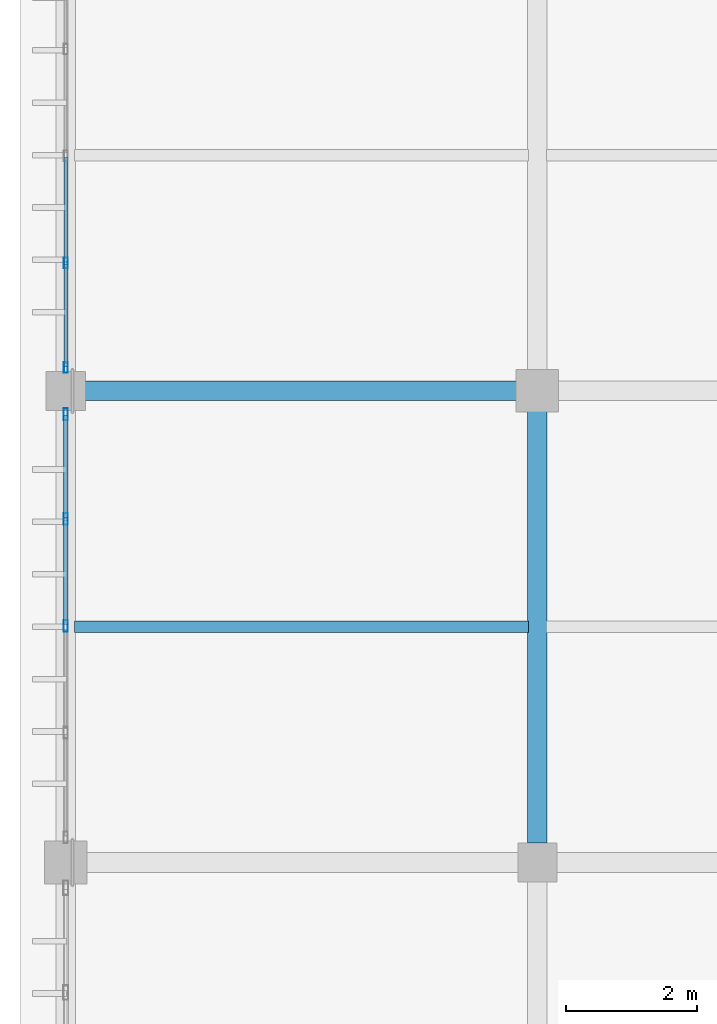
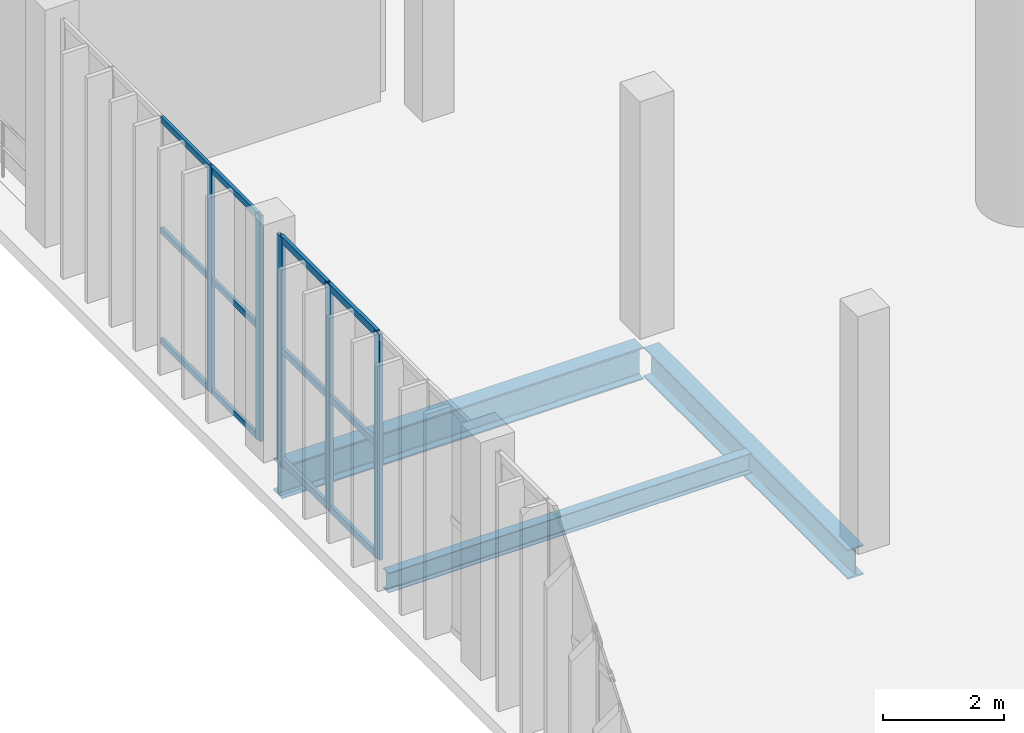
# One storey, part 7 of 105: 17 members, 3 beams, 2 elements without a shape of their own.
"""IFC4 building model written with IfcOpenShell, lengths in metres."""

from ifc_helpers import new_model, si_unit, direction, frame, origin, origin_2d, place, context, subcontext, project, spatial, hollow_rectangle, i_section, extrude, material, material_profile, profile_set, type_object, element, aggregate, save


model = new_model("IFC4")

# Units and contexts
model_context = context("Model", 3, precision=1e-05, world=origin(), true_north=direction((0.0, 1.0)))
body_context = subcontext(model_context, "Body", "Model", "MODEL_VIEW")
ifc_project = project(units=[si_unit("LENGTHUNIT", "METRE"), si_unit("AREAUNIT", "SQUARE_METRE"), si_unit("VOLUMEUNIT", "CUBIC_METRE"), si_unit("PLANEANGLEUNIT", "RADIAN"), si_unit("MASSUNIT", "GRAM", prefix="KILO")], contexts=[model_context])

# Site, building, storey
site_placement = place(None, origin())
site = spatial("IfcSite", under=ifc_project, at=site_placement, CompositionType="ELEMENT")
building_placement = place(site_placement, origin())
building = spatial("IfcBuilding", under=site, at=building_placement, Name="Qandorah Velis Arena", CompositionType="ELEMENT")
storey_placement = place(building_placement, frame((0.0, 0.0, 13.800048828125)))
storey = spatial("IfcBuildingStorey", under=building, at=storey_placement, Name="L03", CompositionType="ELEMENT", Elevation=13.800048828125)

# Curtain wall, members
ifc_material_1 = material(Name="Solar-control low-E double glazing", Category="glass")
curtain_wall_type_1 = type_object("IfcCurtainWallType", Name="ARC-CW-SYS23", PredefinedType="USERDEFINED", material=ifc_material_1)
curtain_wall_1_placement = place(storey_placement, origin())
curtain_wall_1 = element("IfcCurtainWall", 1, at=curtain_wall_1_placement, inside=storey, type_object=curtain_wall_type_1, Name="Unitised curtain wall L03-023", ObjectType="UNITISED CURTAIN WALL", PredefinedType="USERDEFINED")
ifc_material_2 = material(Name="Champagne-bronze anodized aluminium 6063-T6", Category="aluminium")
ifc_material_profile_1 = material_profile(ifc_material_2, hollow_rectangle(XDim=0.06005859375, YDim=0.159912109375, WallThickness=0.00341796875, at=origin_2d()), Name="ALU MULLION 60x160")
ifc_profile_set_1 = profile_set([ifc_material_profile_1], Name="Champagne-bronze anodized aluminium 6063-T6")
member_type_1 = type_object("IfcMemberType", Name="ARC-CWM-160", PredefinedType="MULLION", material=ifc_profile_set_1)
member_1_placement = place(storey_placement, frame((0.0, 29.155029296875, -0.01513671875), z_axis=(0.0, 0.0, 1.0), x_axis=(-1.0, 0.0, 0.0)))
member_1 = element("IfcMember", 2, at=member_1_placement, type_object=member_type_1, Name="CW23 mullion 1", PredefinedType="MULLION", context=body_context, shape_type="SweptSolid", body=[
    extrude(hollow_rectangle(XDim=0.06005859375, YDim=0.159912109375, WallThickness=0.00341796875, at=origin_2d()), origin(), (0.0, 0.0, 1.0), 4.56005859375),
])
member_2_placement = place(storey_placement, frame((0.0, 30.75634765625, -0.01513671875), z_axis=(0.0, 0.0, 1.0), x_axis=(-1.0, 0.0, 0.0)))
member_2 = element("IfcMember", 3, at=member_2_placement, type_object=member_type_1, Name="CW23 mullion 2", PredefinedType="MULLION", context=body_context, shape_type="SweptSolid", body=[
    extrude(hollow_rectangle(XDim=0.06005859375, YDim=0.159912109375, WallThickness=0.00341796875, at=origin_2d()), origin(), (0.0, 0.0, 1.0), 4.56005859375),
])

curtain_wall_type_2 = type_object("IfcCurtainWallType", Name="ARC-CW-SYS22", PredefinedType="USERDEFINED", material=ifc_material_1)
curtain_wall_2_placement = place(storey_placement, origin())
curtain_wall_2 = element("IfcCurtainWall", 4, at=curtain_wall_2_placement, inside=storey, type_object=curtain_wall_type_2, Name="Unitised curtain wall L03-022", ObjectType="UNITISED CURTAIN WALL", PredefinedType="USERDEFINED")
ifc_material_profile_2 = material_profile(ifc_material_2, hollow_rectangle(XDim=0.06494140625, YDim=0.179931640625, WallThickness=0.00341796875, at=origin_2d()), Name="ALU MULLION 65x180")
ifc_profile_set_2 = profile_set([ifc_material_profile_2], Name="Champagne-bronze anodized aluminium 6063-T6")
member_type_2 = type_object("IfcMemberType", Name="ARC-CWM-180", PredefinedType="MULLION", material=ifc_profile_set_2)
member_3_placement = place(storey_placement, frame((0.0, 25.21240234375, -0.01513671875), z_axis=(0.0, 0.0, 1.0), x_axis=(-1.0, 0.0, 0.0)))
member_3 = element("IfcMember", 5, at=member_3_placement, type_object=member_type_2, Name="CW22 mullion 3", PredefinedType="MULLION", context=body_context, shape_type="SweptSolid", body=[
    extrude(hollow_rectangle(XDim=0.06494140625, YDim=0.179931640625, WallThickness=0.00341796875, at=origin_2d()), origin(), (0.0, 0.0, 1.0), 4.56005859375),
])
member_4_placement = place(storey_placement, frame((0.0, 26.84375, -0.01513671875), z_axis=(0.0, 0.0, 1.0), x_axis=(-1.0, 0.0, 0.0)))
member_4 = element("IfcMember", 6, at=member_4_placement, type_object=member_type_2, Name="CW22 mullion 4", PredefinedType="MULLION", context=body_context, shape_type="SweptSolid", body=[
    extrude(hollow_rectangle(XDim=0.06494140625, YDim=0.179931640625, WallThickness=0.00341796875, at=origin_2d()), origin(), (0.0, 0.0, 1.0), 4.56005859375),
])
member_5_placement = place(storey_placement, frame((0.0, 28.4423828125, -0.01513671875), z_axis=(0.0, 0.0, 1.0), x_axis=(-1.0, 0.0, 0.0)))
member_5 = element("IfcMember", 7, at=member_5_placement, type_object=member_type_2, Name="CW22 mullion 5", PredefinedType="MULLION", context=body_context, shape_type="SweptSolid", body=[
    extrude(hollow_rectangle(XDim=0.06494140625, YDim=0.179931640625, WallThickness=0.00341796875, at=origin_2d()), origin(), (0.0, 0.0, 1.0), 4.56005859375),
])

# Member
ifc_material_profile_3 = material_profile(ifc_material_2, hollow_rectangle(XDim=0.06005859375, YDim=0.1201171875, WallThickness=0.0029296875, at=origin_2d()), Name="ALU TRANSOM 60x120")
ifc_profile_set_3 = profile_set([ifc_material_profile_3], Name="Champagne-bronze anodized aluminium 6063-T6")
member_type_3 = type_object("IfcMemberType", Name="ARC-CWT-120", PredefinedType="USERDEFINED", material=ifc_profile_set_3)
member_6_placement = place(storey_placement, frame((0.0, 29.173095703125, 0.030029296875), z_axis=(0.0, 1.0, 0.0), x_axis=(-1.0, 0.0, 0.0)))
member_6 = element("IfcMember", 8, at=member_6_placement, type_object=member_type_3, Name="CW23 transom 1.1", ObjectType="TRANSOM", PredefinedType="USERDEFINED", context=body_context, shape_type="SweptSolid", body=[
    extrude(hollow_rectangle(XDim=0.06005859375, YDim=0.1201171875, WallThickness=0.0029296875, at=origin_2d()), origin(), (0.0, 0.0, 1.0), 1.565185546875),
])

member_7_placement = place(storey_placement, frame((0.0, 29.173095703125, 2.264892578125), z_axis=(0.0, 1.0, 0.0), x_axis=(-1.0, 0.0, 0.0)))
member_7 = element("IfcMember", 9, at=member_7_placement, type_object=member_type_3, Name="CW23 transom 1.2", ObjectType="TRANSOM", PredefinedType="USERDEFINED", context=body_context, shape_type="SweptSolid", body=[
    extrude(hollow_rectangle(XDim=0.06005859375, YDim=0.1201171875, WallThickness=0.0029296875, at=origin_2d()), origin(), (0.0, 0.0, 1.0), 1.565185546875),
])

member_8_placement = place(storey_placement, frame((0.0, 29.173095703125, 4.5), z_axis=(0.0, 1.0, 0.0), x_axis=(-1.0, 0.0, 0.0)))
member_8 = element("IfcMember", 10, at=member_8_placement, type_object=member_type_3, Name="CW23 transom 1.3", ObjectType="TRANSOM", PredefinedType="USERDEFINED", context=body_context, shape_type="SweptSolid", body=[
    extrude(hollow_rectangle(XDim=0.06005859375, YDim=0.1201171875, WallThickness=0.0029296875, at=origin_2d()), origin(), (0.0, 0.0, 1.0), 1.565185546875),
])

member_9_placement = place(storey_placement, frame((0.0, 30.774169921875, 0.030029296875), z_axis=(0.0, 1.0, 0.0), x_axis=(-1.0, 0.0, 0.0)))
member_9 = element("IfcMember", 11, at=member_9_placement, type_object=member_type_3, Name="CW23 transom 2.1", ObjectType="TRANSOM", PredefinedType="USERDEFINED", context=body_context, shape_type="SweptSolid", body=[
    extrude(hollow_rectangle(XDim=0.06005859375, YDim=0.1201171875, WallThickness=0.0029296875, at=origin_2d()), origin(), (0.0, 0.0, 1.0), 1.59521484375),
])

member_10_placement = place(storey_placement, frame((0.0, 30.774169921875, 2.264892578125), z_axis=(0.0, 1.0, 0.0), x_axis=(-1.0, 0.0, 0.0)))
member_10 = element("IfcMember", 12, at=member_10_placement, type_object=member_type_3, Name="CW23 transom 2.2", ObjectType="TRANSOM", PredefinedType="USERDEFINED", context=body_context, shape_type="SweptSolid", body=[
    extrude(hollow_rectangle(XDim=0.06005859375, YDim=0.1201171875, WallThickness=0.0029296875, at=origin_2d()), origin(), (0.0, 0.0, 1.0), 1.59521484375),
])

member_11_placement = place(storey_placement, frame((0.0, 30.774169921875, 4.5), z_axis=(0.0, 1.0, 0.0), x_axis=(-1.0, 0.0, 0.0)))
member_11 = element("IfcMember", 13, at=member_11_placement, type_object=member_type_3, Name="CW23 transom 2.3", ObjectType="TRANSOM", PredefinedType="USERDEFINED", context=body_context, shape_type="SweptSolid", body=[
    extrude(hollow_rectangle(XDim=0.06005859375, YDim=0.1201171875, WallThickness=0.0029296875, at=origin_2d()), origin(), (0.0, 0.0, 1.0), 1.59521484375),
])

aggregate(curtain_wall_1, [member_1, member_2, member_6, member_7, member_8, member_9, member_10, member_11])

ifc_material_profile_4 = material_profile(ifc_material_2, hollow_rectangle(XDim=0.06494140625, YDim=0.139892578125, WallThickness=0.0029296875, at=origin_2d()), Name="ALU TRANSOM 65x140")
ifc_profile_set_4 = profile_set([ifc_material_profile_4], Name="Champagne-bronze anodized aluminium 6063-T6")
member_type_4 = type_object("IfcMemberType", Name="ARC-CWT-140", PredefinedType="USERDEFINED", material=ifc_profile_set_4)
member_12_placement = place(storey_placement, frame((0.0, 25.23291015625, 0.032470703125), z_axis=(0.0, 1.0, 0.0), x_axis=(-1.0, 0.0, 0.0)))
member_12 = element("IfcMember", 14, at=member_12_placement, type_object=member_type_4, Name="CW22 transom 3.1", ObjectType="TRANSOM", PredefinedType="USERDEFINED", context=body_context, shape_type="SweptSolid", body=[
    extrude(hollow_rectangle(XDim=0.06494140625, YDim=0.139892578125, WallThickness=0.0029296875, at=origin_2d()), origin(), (0.0, 0.0, 1.0), 1.59033203125),
])

member_13_placement = place(storey_placement, frame((0.0, 25.23291015625, 2.264892578125), z_axis=(0.0, 1.0, 0.0), x_axis=(-1.0, 0.0, 0.0)))
member_13 = element("IfcMember", 15, at=member_13_placement, type_object=member_type_4, Name="CW22 transom 3.2", ObjectType="TRANSOM", PredefinedType="USERDEFINED", context=body_context, shape_type="SweptSolid", body=[
    extrude(hollow_rectangle(XDim=0.06494140625, YDim=0.139892578125, WallThickness=0.0029296875, at=origin_2d()), origin(), (0.0, 0.0, 1.0), 1.59033203125),
])

member_14_placement = place(storey_placement, frame((0.0, 25.23291015625, 4.49755859375), z_axis=(0.0, 1.0, 0.0), x_axis=(-1.0, 0.0, 0.0)))
member_14 = element("IfcMember", 16, at=member_14_placement, type_object=member_type_4, Name="CW22 transom 3.3", ObjectType="TRANSOM", PredefinedType="USERDEFINED", context=body_context, shape_type="SweptSolid", body=[
    extrude(hollow_rectangle(XDim=0.06494140625, YDim=0.139892578125, WallThickness=0.0029296875, at=origin_2d()), origin(), (0.0, 0.0, 1.0), 1.59033203125),
])

member_15_placement = place(storey_placement, frame((0.0, 26.8642578125, 0.032470703125), z_axis=(0.0, 1.0, 0.0), x_axis=(-1.0, 0.0, 0.0)))
member_15 = element("IfcMember", 17, at=member_15_placement, type_object=member_type_4, Name="CW22 transom 4.1", ObjectType="TRANSOM", PredefinedType="USERDEFINED", context=body_context, shape_type="SweptSolid", body=[
    extrude(hollow_rectangle(XDim=0.06494140625, YDim=0.139892578125, WallThickness=0.0029296875, at=origin_2d()), origin(), (0.0, 0.0, 1.0), 1.557861328125),
])

member_16_placement = place(storey_placement, frame((0.0, 26.8642578125, 2.264892578125), z_axis=(0.0, 1.0, 0.0), x_axis=(-1.0, 0.0, 0.0)))
member_16 = element("IfcMember", 18, at=member_16_placement, type_object=member_type_4, Name="CW22 transom 4.2", ObjectType="TRANSOM", PredefinedType="USERDEFINED", context=body_context, shape_type="SweptSolid", body=[
    extrude(hollow_rectangle(XDim=0.06494140625, YDim=0.139892578125, WallThickness=0.0029296875, at=origin_2d()), origin(), (0.0, 0.0, 1.0), 1.557861328125),
])

member_17_placement = place(storey_placement, frame((0.0, 26.8642578125, 4.49755859375), z_axis=(0.0, 1.0, 0.0), x_axis=(-1.0, 0.0, 0.0)))
member_17 = element("IfcMember", 19, at=member_17_placement, type_object=member_type_4, Name="CW22 transom 4.3", ObjectType="TRANSOM", PredefinedType="USERDEFINED", context=body_context, shape_type="SweptSolid", body=[
    extrude(hollow_rectangle(XDim=0.06494140625, YDim=0.139892578125, WallThickness=0.0029296875, at=origin_2d()), origin(), (0.0, 0.0, 1.0), 1.557861328125),
])

aggregate(curtain_wall_2, [member_3, member_4, member_5, member_12, member_13, member_14, member_15, member_16, member_17])

# Beams
ifc_material_3 = material(Name="Steel S355", Category="steel")
ifc_material_profile_5 = material_profile(ifc_material_3, i_section(OverallWidth=0.300048828125, OverallDepth=0.60009765625, WebThickness=0.015380859375, FlangeThickness=0.030029296875, FilletRadius=0.027099609375, at=origin_2d()), Name="HEB 600")
ifc_profile_set_5 = profile_set([ifc_material_profile_5], Name="Steel S355")
beam_type_1 = type_object("IfcBeamType", Name="STR-BM-HEB600", PredefinedType="BEAM", material=ifc_profile_set_5)
beam_1_placement = place(storey_placement, frame((7.199951171875, 21.89990234375, -0.6201171875), z_axis=(0.0, 1.0, 0.0), x_axis=(-1.0, 0.0, 0.0)))
element("IfcBeam", 20, at=beam_1_placement, inside=storey, type_object=beam_type_1, Name="Primary floor girder L03 Y-193", PredefinedType="BEAM", context=body_context, shape_type="SweptSolid", body=[
    extrude(i_section(OverallWidth=0.300048828125, OverallDepth=0.60009765625, WebThickness=0.015380859375, FlangeThickness=0.030029296875, FilletRadius=0.027099609375, at=origin_2d()), origin(), (0.0, 0.0, 1.0), 6.75),
])
ifc_material_profile_6 = material_profile(ifc_material_3, i_section(OverallWidth=0.300048828125, OverallDepth=0.64990234375, WebThickness=0.01611328125, FlangeThickness=0.031005859375, FilletRadius=0.027099609375, at=origin_2d()), Name="HEB 650")
ifc_profile_set_6 = profile_set([ifc_material_profile_6], Name="Steel S355")
beam_type_2 = type_object("IfcBeamType", Name="STR-BM-HEB650", PredefinedType="BEAM", material=ifc_profile_set_6)
beam_2_placement = place(storey_placement, frame((0.14990234375, 28.800048828125, -0.64501953125), z_axis=(1.0, 0.0, 0.0), x_axis=(0.0, 1.0, 0.0)))
element("IfcBeam", 21, at=beam_2_placement, inside=storey, type_object=beam_type_2, Name="Primary floor girder L03 X-057", PredefinedType="BEAM", context=body_context, shape_type="SweptSolid", body=[
    extrude(i_section(OverallWidth=0.300048828125, OverallDepth=0.64990234375, WebThickness=0.01611328125, FlangeThickness=0.031005859375, FilletRadius=0.027099609375, at=origin_2d()), origin(), (0.0, 0.0, 1.0), 6.900146484375),
])
ifc_material_profile_7 = material_profile(ifc_material_3, i_section(OverallWidth=0.179931640625, OverallDepth=0.39990234375, WebThickness=0.008544921875, FlangeThickness=0.013427734375, FilletRadius=0.02099609375, at=origin_2d()), Name="IPE 400")
ifc_profile_set_7 = profile_set([ifc_material_profile_7], Name="Steel S355")
beam_type_3 = type_object("IfcBeamType", Name="STR-JST-IPE400", PredefinedType="JOIST", material=ifc_profile_set_7)
beam_3_placement = place(storey_placement, frame((0.135009765625, 25.199951171875, -0.52001953125), z_axis=(1.0, 0.0, 0.0), x_axis=(0.0, 1.0, 0.0)))
element("IfcBeam", 22, at=beam_3_placement, inside=storey, type_object=beam_type_3, Name="Secondary floor joist L03-002", PredefinedType="JOIST", context=body_context, shape_type="SweptSolid", body=[
    extrude(i_section(OverallWidth=0.179931640625, OverallDepth=0.39990234375, WebThickness=0.008544921875, FlangeThickness=0.013427734375, FilletRadius=0.02099609375, at=origin_2d()), origin(), (0.0, 0.0, 1.0), 6.929931640625),
])

save(model, "model.ifc")
